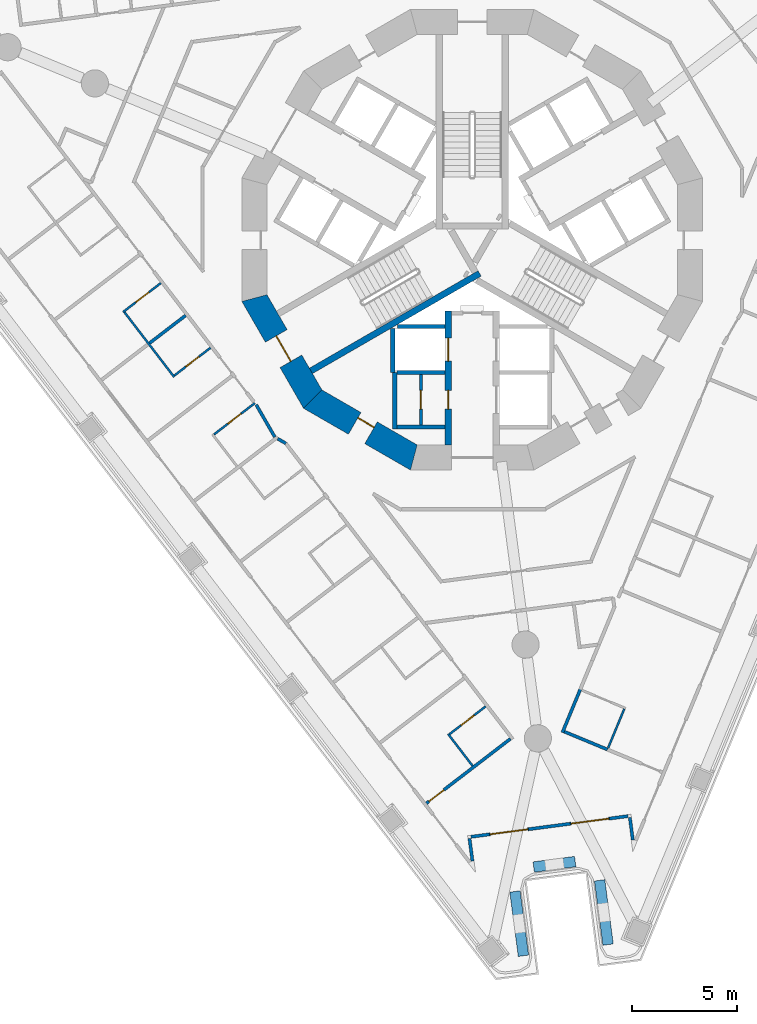
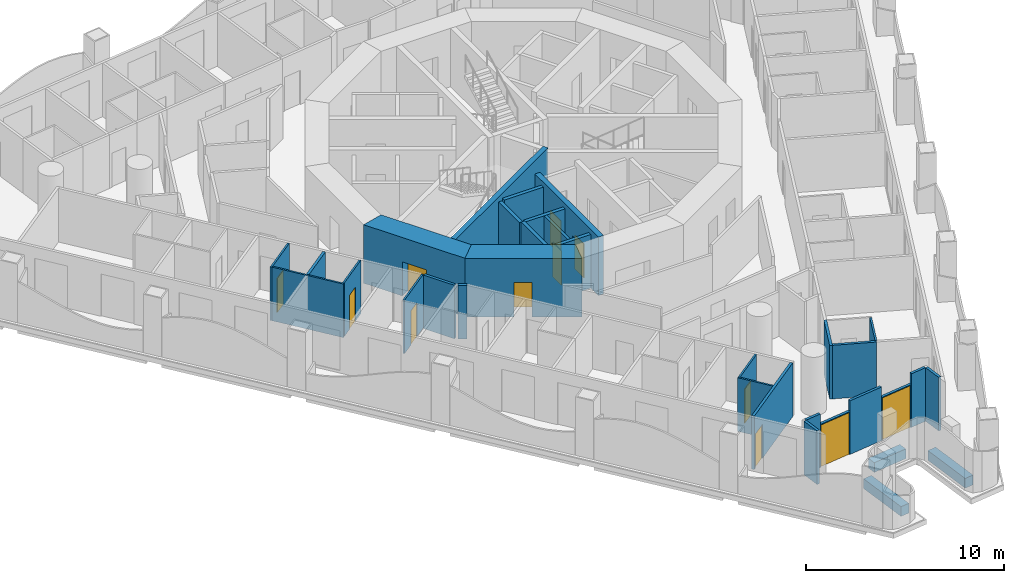
# One storey, part 3 of 19: 33 walls, 12 doors, 12 openings.
"""IFC4 building model written with IfcOpenShell, lengths in metres."""

from ifc_helpers import new_model, si_unit, direction, frame, frame_2d, origin, place, context, subcontext, project, spatial, polyline, rectangle, outline, extrude, material, layer, layer_set, type_object, element, fill, save


model = new_model("IFC4")

# Units and contexts
model_context = context("Model", 3, precision=1e-05, world=origin(), true_north=direction((0.0, 1.0)))
body_context = subcontext(model_context, "Body", "Model", "MODEL_VIEW")
ifc_project = project(units=[si_unit("LENGTHUNIT", "METRE"), si_unit("AREAUNIT", "SQUARE_METRE"), si_unit("VOLUMEUNIT", "CUBIC_METRE"), si_unit("PLANEANGLEUNIT", "RADIAN"), si_unit("MASSUNIT", "GRAM", prefix="KILO")], contexts=[model_context])

# Site, building, storey
site_placement = place(None, origin())
site = spatial("IfcSite", under=ifc_project, at=site_placement, CompositionType="ELEMENT")
building_placement = place(site_placement, origin())
building = spatial("IfcBuilding", under=site, at=building_placement, Name="Trine Commons Tower", CompositionType="ELEMENT")
storey_placement = place(building_placement, frame((0.0, 0.0, 57.60009765625)))
storey = spatial("IfcBuildingStorey", under=building, at=storey_placement, Name="L13", CompositionType="ELEMENT", Elevation=57.60009765625)

# Wall, opening, door
ifc_material_1 = material(Name="Plasterboard partition on steel studs", Category="steel")
ifc_layer_1 = layer(ifc_material_1, 0.14990234375)
ifc_layer_set_1 = layer_set([ifc_layer_1], Name="Plasterboard partition on steel studs")
wall_type_1 = type_object("IfcWallType", Name="Core room partition 150 mm, EI 60", PredefinedType="PARTITIONING", material=ifc_layer_set_1)
wall_1_placement = place(storey_placement, frame((77.550048828125, 56.050048828125, 0.0), z_axis=(0.0, 0.0, 1.0), x_axis=(0.0, -1.0, 0.0)))
wall_1 = element("IfcWall", 1, at=wall_1_placement, inside=storey, type_object=wall_type_1, Name="Core room partition L13", PredefinedType="PARTITIONING", context=body_context, shape_type="SweptSolid", body=[
    extrude(rectangle(XDim=2.400146484375, YDim=0.14990234375, at=frame_2d((1.2001953125, 0.0))), origin(), (0.0, 0.0, 1.0), 3.2998046875),
])
opening_1_placement = place(wall_1_placement, frame((0.75, 0.0, 0.0)))
opening_1 = element("IfcOpeningElement", 2, at=opening_1_placement, cuts=wall_1, Name="Opening K04.11", PredefinedType="OPENING", context=body_context, shape_type="SweptSolid", body=[
    extrude(rectangle(XDim=0.89990234375, YDim=2.10009765625, at=frame_2d((0.449951171875, 1.050048828125))), frame((0.0, 0.0849609375, 0.0), z_axis=(0.0, -1.0, 0.0), x_axis=(1.0, 0.0, 0.0)), (0.0, 0.0, 1.0), 0.169921875),
])
ifc_material_2 = material(Name="Steel door leaf, fire-rated", Category="steel")
door_type_1 = type_object("IfcDoorType", Name="Core room door, single leaf 900 x 2100, FD30S", OperationType="SINGLE_SWING_LEFT", PredefinedType="DOOR", material=ifc_material_2)
door_1_placement = place(opening_1_placement, frame((0.89990234375, 0.0, 0.0), z_axis=(0.0, 0.0, 1.0), x_axis=(-1.0, 0.0, 0.0)))
door_1 = element("IfcDoor", 3, at=door_1_placement, inside=storey, type_object=door_type_1, Name="Door to Comms room L13", OperationType="SINGLE_SWING_LEFT", OverallHeight=2.10009765625, OverallWidth=0.89990234375, PredefinedType="DOOR", context=body_context, shape_type="SweptSolid", body=[
    extrude(rectangle(XDim=0.89990234375, YDim=2.10009765625, at=frame_2d((0.449951171875, 1.050048828125))), frame((0.0, 0.02490234375, 0.0), z_axis=(0.0, -1.0, 0.0), x_axis=(1.0, 0.0, 0.0)), (0.0, 0.0, 1.0), 0.050048828125),
])
fill(opening_1, door_1)

# Walls
ifc_material_3 = material(Name="Aluminium-framed insulated wall panel", Category="aluminium")
ifc_layer_2 = layer(ifc_material_3, 0.14990234375)
ifc_layer_set_2 = layer_set([ifc_layer_2], Name="Aluminium-framed insulated wall panel")
wall_type_2 = type_object("IfcWallType", Name="Glazed frame wall 150, EI 60", PredefinedType="SOLIDWALL", material=ifc_layer_set_2)
wall_2_placement = place(storey_placement, frame((87.6953125, 33.6591796875, 0.0), z_axis=(0.0, 0.0, 1.0), x_axis=(-0.130510858064, 0.991446880033, 0.0)))
element("IfcWall", 4, at=wall_2_placement, inside=storey, type_object=wall_type_2, Name="Glazed frame wall R9", PredefinedType="SOLIDWALL", context=body_context, shape_type="SweptSolid", body=[
    extrude(outline(polyline([(0.1494140625, 0.074951171875), (0.1494140625, -0.074951171875), (1.235107421875, -0.074951171875), (1.235107421875, 0.074951171875), (0.1494140625, 0.074951171875)])), origin(), (0.0, 0.0, 1.0), 3.2998046875),
])
wall_3_placement = place(storey_placement, frame((87.55908203125, 34.96240234375, 0.0), z_axis=(0.0, 0.0, 1.0), x_axis=(-0.991465094935, -0.130372410907, 0.0)))
element("IfcWall", 5, at=wall_3_placement, inside=storey, type_object=wall_type_2, Name="Glazed frame wall P3.1", PredefinedType="SOLIDWALL", context=body_context, shape_type="SweptSolid", body=[
    extrude(outline(polyline([(0.110107421875, -0.074951171875), (1.0, -0.074951171875), (1.0, 0.074951171875), (0.110107421875, 0.074951171875), (0.110107421875, -0.074951171875)])), origin(), (0.0, 0.0, 1.0), 3.2998046875),
])

# Wall, opening, door
wall_4_placement = place(storey_placement, frame((86.567626953125, 34.83203125, 0.0), z_axis=(0.0, 0.0, 1.0), x_axis=(-0.991442045538, -0.130547578832, 0.0)))
wall_4 = element("IfcWall", 6, at=wall_4_placement, inside=storey, type_object=wall_type_2, Name="Glazed frame wall P3.2", PredefinedType="SOLIDWALL", context=body_context, shape_type="SweptSolid", body=[
    extrude(outline(polyline([(0.0, -0.074951171875), (1.89990234375, -0.074951171875), (1.89990234375, 0.074951171875), (0.0, 0.074951171875), (0.0, -0.074951171875)])), origin(), (0.0, 0.0, 1.0), 2.64990234375),
])
opening_2_placement = place(wall_4_placement, frame((0.050048828125, 0.0, 0.0)))
opening_2 = element("IfcOpeningElement", 7, at=opening_2_placement, cuts=wall_4, Name="Opening BD-2P3-01", PredefinedType="OPENING", context=body_context, shape_type="SweptSolid", body=[
    extrude(rectangle(XDim=1.800048828125, YDim=2.60009765625, at=frame_2d((0.89990234375, 1.300048828125))), frame((0.0, 0.0849609375, 0.0), z_axis=(0.0, -1.0, 0.0), x_axis=(1.0, 0.0, 0.0)), (0.0, 0.0, 1.0), 0.169921875),
])
ifc_material_4 = material(Name="Anodised aluminium frame with double glazing", Category="aluminium")
door_type_2 = type_object("IfcDoorType", Name="Sliding loggia door 1800x2600", OperationType="SLIDING_TO_LEFT", PredefinedType="DOOR", material=ifc_material_4)
door_2_placement = place(opening_2_placement, origin())
door_2 = element("IfcDoor", 8, at=door_2_placement, inside=storey, type_object=door_type_2, Name="Loggia door P3 1", OperationType="SLIDING_TO_LEFT", OverallHeight=2.60009765625, OverallWidth=1.800048828125, PredefinedType="DOOR", context=body_context, shape_type="SweptSolid", body=[
    extrude(rectangle(XDim=1.800048828125, YDim=2.60009765625, at=frame_2d((0.89990234375, 1.300048828125))), frame((0.0, 0.02490234375, 0.0), z_axis=(0.0, -1.0, 0.0), x_axis=(1.0, 0.0, 0.0)), (0.0, 0.0, 1.0), 0.050048828125),
])
fill(opening_2, door_2)

# Wall
wall_5_placement = place(storey_placement, frame((84.683837890625, 34.583984375, 0.0), z_axis=(0.0, 0.0, 1.0), x_axis=(-0.991449308994, -0.130492404742, 0.0)))
element("IfcWall", 9, at=wall_5_placement, inside=storey, type_object=wall_type_2, Name="Glazed frame wall P3.3", PredefinedType="SOLIDWALL", context=body_context, shape_type="SweptSolid", body=[
    extrude(outline(polyline([(0.0, -0.074951171875), (2.0, -0.074951171875), (2.0, 0.074951171875), (0.0, 0.074951171875), (0.0, -0.074951171875)])), origin(), (0.0, 0.0, 1.0), 3.2998046875),
])

# Wall, opening, door
wall_6_placement = place(storey_placement, frame((82.700927734375, 34.322998046875, 0.0), z_axis=(0.0, 0.0, 1.0), x_axis=(-0.991442045538, -0.130547578832, 0.0)))
wall_6 = element("IfcWall", 10, at=wall_6_placement, inside=storey, type_object=wall_type_2, Name="Glazed frame wall P3.4", PredefinedType="SOLIDWALL", context=body_context, shape_type="SweptSolid", body=[
    extrude(outline(polyline([(0.0, -0.074951171875), (1.89990234375, -0.074951171875), (1.89990234375, 0.074951171875), (0.0, 0.074951171875), (0.0, -0.074951171875)])), origin(), (0.0, 0.0, 1.0), 2.64990234375),
])
opening_3_placement = place(wall_6_placement, frame((0.050048828125, 0.0, 0.0)))
opening_3 = element("IfcOpeningElement", 11, at=opening_3_placement, cuts=wall_6, Name="Opening BD-2P3-02", PredefinedType="OPENING", context=body_context, shape_type="SweptSolid", body=[
    extrude(rectangle(XDim=1.800048828125, YDim=2.60009765625, at=frame_2d((0.89990234375, 1.300048828125))), frame((0.0, 0.0849609375, 0.0), z_axis=(0.0, -1.0, 0.0), x_axis=(1.0, 0.0, 0.0)), (0.0, 0.0, 1.0), 0.169921875),
])
door_3_placement = place(opening_3_placement, origin())
door_3 = element("IfcDoor", 12, at=door_3_placement, inside=storey, type_object=door_type_2, Name="Loggia door P3 2", OperationType="SLIDING_TO_LEFT", OverallHeight=2.60009765625, OverallWidth=1.800048828125, PredefinedType="DOOR", context=body_context, shape_type="SweptSolid", body=[
    extrude(rectangle(XDim=1.800048828125, YDim=2.60009765625, at=frame_2d((0.89990234375, 1.300048828125))), frame((0.0, 0.02490234375, 0.0), z_axis=(0.0, -1.0, 0.0), x_axis=(1.0, 0.0, 0.0)), (0.0, 0.0, 1.0), 0.050048828125),
])
fill(opening_3, door_3)

# Walls
wall_7_placement = place(storey_placement, frame((80.817138671875, 34.074951171875, 0.0), z_axis=(0.0, 0.0, 1.0), x_axis=(-0.991433509034, -0.130612392842, 0.0)))
element("IfcWall", 13, at=wall_7_placement, inside=storey, type_object=wall_type_2, Name="Glazed frame wall P3.5", PredefinedType="SOLIDWALL", context=body_context, shape_type="SweptSolid", body=[
    extrude(outline(polyline([(0.889892578125, 0.074951171875), (0.0, 0.074951171875), (0.0, -0.074951171875), (0.889892578125, -0.074951171875), (0.889892578125, 0.074951171875)])), origin(), (0.0, 0.0, 1.0), 3.2998046875),
])
wall_8_placement = place(storey_placement, frame((79.85595703125, 33.983642578125, 0.0), z_axis=(0.0, 0.0, 1.0), x_axis=(0.130510858064, -0.991446880033, 0.0)))
element("IfcWall", 14, at=wall_8_placement, inside=storey, type_object=wall_type_2, Name="Glazed frame wall R11", PredefinedType="SOLIDWALL", context=body_context, shape_type="SweptSolid", body=[
    extrude(outline(polyline([(0.110107421875, 0.074951171875), (0.110107421875, -0.074951171875), (1.19580078125, -0.074951171875), (1.19580078125, 0.074951171875), (0.110107421875, 0.074951171875)])), origin(), (0.0, 0.0, 1.0), 3.2998046875),
])
ifc_material_5 = material(Name="Planter trough, precast concrete C40/50", Category="concrete")
ifc_layer_3 = layer(ifc_material_5, 0.5)
ifc_layer_set_3 = layer_set([ifc_layer_3], Name="Planter trough, precast concrete C40/50")
wall_type_3 = type_object("IfcWallType", Name="Planter trough 500x600", PredefinedType="PARAPET", material=ifc_layer_set_3)
wall_9_placement = place(storey_placement, frame((86.493408203125, 28.805908203125, 0.0), z_axis=(0.0, 0.0, 1.0), x_axis=(-0.130507484591, 0.9914473241, 0.0)))
element("IfcWall", 15, at=wall_9_placement, inside=storey, type_object=wall_type_3, Name="Planter 7", PredefinedType="PARAPET", context=body_context, shape_type="SweptSolid", body=[
    extrude(rectangle(XDim=3.099853515625, YDim=0.5, at=frame_2d((1.5498046875, 0.0))), origin(), (0.0, 0.0, 1.0), 0.599853515625),
])
wall_10_placement = place(storey_placement, frame((84.922119140625, 32.774658203125, 0.0), z_axis=(0.0, 0.0, 1.0), x_axis=(-0.991433509034, -0.130612392842, 0.0)))
element("IfcWall", 16, at=wall_10_placement, inside=storey, type_object=wall_type_3, Name="Planter 8", PredefinedType="PARAPET", context=body_context, shape_type="SweptSolid", body=[
    extrude(rectangle(XDim=2.0, YDim=0.5, at=frame_2d((1.0, 0.0))), origin(), (0.0, 0.0, 1.0), 0.599853515625),
])
wall_11_placement = place(storey_placement, frame((82.043701171875, 31.3466796875, 0.0), z_axis=(0.0, 0.0, 1.0), x_axis=(0.130574707151, -0.991438473054, 0.0)))
element("IfcWall", 17, at=wall_11_placement, inside=storey, type_object=wall_type_3, Name="Planter 9", PredefinedType="PARAPET", context=body_context, shape_type="SweptSolid", body=[
    extrude(rectangle(XDim=3.10009765625, YDim=0.5, at=frame_2d((1.550048828125, 0.0))), origin(), (0.0, 0.0, 1.0), 0.599853515625),
])

# Wall, opening, door
ifc_material_6 = material(Name="Concrete C80/95", Category="concrete")
ifc_layer_4 = layer(ifc_material_6, 1.199951171875)
ifc_layer_set_4 = layer_set([ifc_layer_4], Name="Concrete C80/95")
wall_type_4 = type_object("IfcWallType", Name="RC shear wall 1200 mm, C80/95", PredefinedType="SHEAR", material=ifc_layer_set_4)
wall_12_placement = place(storey_placement, frame((69.508056640625, 59.849609375, 0.0), z_axis=(0.0, 0.0, 1.0), x_axis=(0.499979111662, -0.866037463336, 0.0)))
wall_12 = element("IfcWall", 18, at=wall_12_placement, inside=storey, type_object=wall_type_4, Name="Core wall CWB-08 L13", PredefinedType="SHEAR", context=body_context, shape_type="SweptSolid", body=[
    extrude(outline(polyline([(0.0, -0.60009765625), (5.901123046875, -0.60009765625), (5.57958984375, 0.60009765625), (0.321533203125, 0.60009765625), (0.0, -0.60009765625)])), origin(), (0.0, 0.0, 1.0), 3.599853515625),
])
opening_4_placement = place(wall_12_placement, frame((2.25048828125, 0.0, 0.0)))
opening_4 = element("IfcOpeningElement", 19, at=opening_4_placement, cuts=wall_12, Name="Opening K04.02", PredefinedType="OPENING", context=body_context, shape_type="SweptSolid", body=[
    extrude(rectangle(XDim=1.39990234375, YDim=2.10009765625, at=frame_2d((0.699951171875, 1.050048828125))), frame((0.0, 0.60986328125, 0.0), z_axis=(0.0, -1.0, 0.0), x_axis=(1.0, 0.0, 0.0)), (0.0, 0.0, 1.0), 1.219970703125),
])
ifc_material_7 = material(Name="Steel door leaves, fire-rated", Category="steel")
door_type_3 = type_object("IfcDoorType", Name="Stair door, double leaf 1400 x 2100, FD90", OperationType="DOUBLE_DOOR_SINGLE_SWING", PredefinedType="DOOR", material=ifc_material_7)
door_4_placement = place(opening_4_placement, origin())
door_4 = element("IfcDoor", 20, at=door_4_placement, inside=storey, type_object=door_type_3, Name="Stair door to Exit stair ST2A L13", OperationType="DOUBLE_DOOR_SINGLE_SWING", OverallHeight=2.10009765625, OverallWidth=1.39990234375, PredefinedType="DOOR", context=body_context, shape_type="SweptSolid", body=[
    extrude(rectangle(XDim=1.39990234375, YDim=2.10009765625, at=frame_2d((0.699951171875, 1.050048828125))), frame((0.0, 0.02490234375, 0.0), z_axis=(0.0, -1.0, 0.0), x_axis=(1.0, 0.0, 0.0)), (0.0, 0.0, 1.0), 0.050048828125),
])
fill(opening_4, door_4)

wall_13_placement = place(storey_placement, frame((72.239013671875, 54.95849609375, 0.0), z_axis=(0.0, 0.0, 1.0), x_axis=(0.866037463336, -0.499979111662, 0.0)))
wall_13 = element("IfcWall", 21, at=wall_13_placement, inside=storey, type_object=wall_type_4, Name="Core wall CWB-09 L13", PredefinedType="SHEAR", context=body_context, shape_type="SweptSolid", body=[
    extrude(outline(polyline([(0.0, -0.60009765625), (5.901123046875, -0.60009765625), (5.57958984375, 0.60009765625), (0.321533203125, 0.60009765625), (0.0, -0.60009765625)])), origin(), (0.0, 0.0, 1.0), 3.599853515625),
])
opening_5_placement = place(wall_13_placement, frame((2.4765625, 0.0, 0.0)))
opening_5 = element("IfcOpeningElement", 22, at=opening_5_placement, cuts=wall_13, Name="Opening K04.15", PredefinedType="OPENING", context=body_context, shape_type="SweptSolid", body=[
    extrude(rectangle(XDim=0.89990234375, YDim=2.10009765625, at=frame_2d((0.449951171875, 1.050048828125))), frame((0.0, 0.60986328125, 0.0), z_axis=(0.0, -1.0, 0.0), x_axis=(1.0, 0.0, 0.0)), (0.0, 0.0, 1.0), 1.219970703125),
])
door_5_placement = place(opening_5_placement, origin())
door_5 = element("IfcDoor", 23, at=door_5_placement, inside=storey, type_object=door_type_1, Name="Door to Cleaner's store L13", OperationType="SINGLE_SWING_LEFT", OverallHeight=2.10009765625, OverallWidth=0.89990234375, PredefinedType="DOOR", context=body_context, shape_type="SweptSolid", body=[
    extrude(rectangle(XDim=0.89990234375, YDim=2.10009765625, at=frame_2d((0.449951171875, 1.050048828125))), frame((0.0, 0.3251953125, 0.0), z_axis=(0.0, -1.0, 0.0), x_axis=(1.0, 0.0, 0.0)), (0.0, 0.0, 1.0), 0.050048828125),
])
fill(opening_5, door_5)

# Wall, openings, doors
ifc_layer_5 = layer(ifc_material_6, 0.300048828125)
ifc_layer_set_5 = layer_set([ifc_layer_5], Name="Concrete C80/95")
wall_type_5 = type_object("IfcWallType", Name="RC shear wall 300 mm, C80/95", PredefinedType="SHEAR", material=ifc_layer_set_5)
wall_14_placement = place(storey_placement, frame((78.85009765625, 59.10009765625, 0.0), z_axis=(0.0, 0.0, 1.0), x_axis=(0.0, -1.0, 0.0)))
wall_14 = element("IfcWall", 24, at=wall_14_placement, inside=storey, type_object=wall_type_5, Name="Core cross wall SWA-03 L13", PredefinedType="SHEAR", context=body_context, shape_type="SweptSolid", body=[
    extrude(rectangle(XDim=6.412109375, YDim=0.300048828125, at=frame_2d((3.2060546875, 0.0))), origin(), (0.0, 0.0, 1.0), 3.599853515625),
])
opening_6_placement = place(wall_14_placement, frame((3.800048828125, 0.0, 0.0)))
opening_6 = element("IfcOpeningElement", 25, at=opening_6_placement, cuts=wall_14, Name="Opening K04.10", PredefinedType="OPENING", context=body_context, shape_type="SweptSolid", body=[
    extrude(rectangle(XDim=0.89990234375, YDim=2.10009765625, at=frame_2d((0.449951171875, 1.050048828125))), frame((0.0, 0.159912109375, 0.0), z_axis=(0.0, -1.0, 0.0), x_axis=(1.0, 0.0, 0.0)), (0.0, 0.0, 1.0), 0.320068359375),
])
opening_7_placement = place(wall_14_placement, frame((1.300048828125, 0.0, 0.0)))
opening_7 = element("IfcOpeningElement", 26, at=opening_7_placement, cuts=wall_14, Name="Opening LD10", PredefinedType="OPENING", context=body_context, shape_type="SweptSolid", body=[
    extrude(rectangle(XDim=1.10009765625, YDim=2.10009765625, at=frame_2d((0.550048828125, 1.050048828125))), frame((0.0, 0.159912109375, 0.0), z_axis=(0.0, -1.0, 0.0), x_axis=(1.0, 0.0, 0.0)), (0.0, 0.0, 1.0), 0.320068359375),
])
door_6_placement = place(opening_6_placement, frame((0.89990234375, 0.0, 0.0), z_axis=(0.0, 0.0, 1.0), x_axis=(-1.0, 0.0, 0.0)))
door_6 = element("IfcDoor", 27, at=door_6_placement, inside=storey, type_object=door_type_1, Name="Door to Pantry L13", OperationType="SINGLE_SWING_RIGHT", OverallHeight=2.10009765625, OverallWidth=0.89990234375, PredefinedType="DOOR", context=body_context, shape_type="SweptSolid", body=[
    extrude(rectangle(XDim=0.89990234375, YDim=2.10009765625, at=frame_2d((0.449951171875, 1.050048828125))), frame((0.0, 0.02490234375, 0.0), z_axis=(0.0, -1.0, 0.0), x_axis=(1.0, 0.0, 0.0)), (0.0, 0.0, 1.0), 0.050048828125),
])
fill(opening_6, door_6)
ifc_material_8 = material(Name="Stainless steel sliding door leaves", Category="steel")
door_type_4 = type_object("IfcDoorType", Name="Lift landing door, centre-opening sliding 1100 x 2100, FD90", OperationType="DOUBLE_DOOR_SLIDING", PredefinedType="DOOR", material=ifc_material_8)
door_7_placement = place(opening_7_placement, origin())
door_7 = element("IfcDoor", 28, at=door_7_placement, inside=storey, type_object=door_type_4, Name="Lift landing door FF2 L13", OperationType="DOUBLE_DOOR_SLIDING", OverallHeight=2.10009765625, OverallWidth=1.10009765625, PredefinedType="DOOR", context=body_context, shape_type="SweptSolid", body=[
    extrude(rectangle(XDim=1.10009765625, YDim=2.10009765625, at=frame_2d((0.550048828125, 1.050048828125))), frame((0.0, 0.02490234375, 0.0), z_axis=(0.0, -1.0, 0.0), x_axis=(1.0, 0.0, 0.0)), (0.0, 0.0, 1.0), 0.050048828125),
])
fill(opening_7, door_7)

# Walls
wall_15_placement = place(storey_placement, frame((80.35400390625, 60.885986328125, 0.0), z_axis=(0.0, 0.0, 1.0), x_axis=(-0.865986456211, -0.50006745311, 0.0)))
element("IfcWall", 29, at=wall_15_placement, inside=storey, type_object=wall_type_5, Name="Core cross wall SWA-14 L13", PredefinedType="SHEAR", context=body_context, shape_type="SweptSolid", body=[
    extrude(rectangle(XDim=9.310791015625, YDim=0.300048828125, at=frame_2d((4.6552734375, 0.0))), origin(), (0.0, 0.0, 1.0), 3.599853515625),
])
ifc_material_9 = material(Name="Fire-rated gypsum shaft wall system")
ifc_layer_6 = layer(ifc_material_9, 0.199951171875)
ifc_layer_set_6 = layer_set([ifc_layer_6], Name="Fire-rated gypsum shaft wall system")
wall_type_6 = type_object("IfcWallType", Name="Shaft wall 200 mm, EI 120", PredefinedType="PARTITIONING", material=ifc_layer_set_6)
wall_16_placement = place(storey_placement, frame((76.199951171875, 58.256103515625, 0.0), z_axis=(0.0, 0.0, 1.0), x_axis=(0.0, -1.0, 0.0)))
element("IfcWall", 30, at=wall_16_placement, inside=storey, type_object=wall_type_6, Name="Shaft wall L13", PredefinedType="PARTITIONING", context=body_context, shape_type="SweptSolid", body=[
    extrude(rectangle(XDim=2.106201171875, YDim=0.199951171875, at=frame_2d((1.05322265625, 0.0))), origin(), (0.0, 0.0, 1.0), 3.2998046875),
])
wall_17_placement = place(storey_placement, frame((76.300048828125, 56.14990234375, 0.0), z_axis=(0.0, 0.0, 1.0), x_axis=(0.0, -1.0, 0.0)))
element("IfcWall", 31, at=wall_17_placement, inside=storey, type_object=wall_type_6, Name="Shaft wall L13", PredefinedType="PARTITIONING", context=body_context, shape_type="SweptSolid", body=[
    extrude(rectangle(XDim=2.699951171875, YDim=0.199951171875, at=frame_2d((1.35009765625, 0.0))), origin(), (0.0, 0.0, 1.0), 3.2998046875),
])
for number, where, z_axis, x_axis, name in (
    (32, (78.699951171875, 53.550048828125, 0.0), (0.0, 0.0, 1.0), (-1.0, 0.0, 0.0), "Shaft wall L13"),
    (33, (78.699951171875, 56.14990234375, 0.0), (0.0, 0.0, 1.0), (-1.0, 0.0, 0.0), "Shaft wall L13"),
):
    element("IfcWall", number, at=place(storey_placement, frame(where, z_axis=z_axis, x_axis=x_axis)), inside=storey, type_object=wall_type_6, Name=name, PredefinedType="PARTITIONING", context=body_context, shape_type="SweptSolid", body=[
        extrude(rectangle(XDim=2.300048828125, YDim=0.199951171875, at=frame_2d((1.14990234375, 0.0))), origin(), (0.0, 0.0, 1.0), 3.2998046875),
    ])
wall_18_placement = place(storey_placement, frame((78.699951171875, 58.35009765625, 0.0), z_axis=(0.0, 0.0, 1.0), x_axis=(-1.0, 0.0, 0.0)))
element("IfcWall", 34, at=wall_18_placement, inside=storey, type_object=wall_type_6, Name="Shaft wall L13", PredefinedType="PARTITIONING", context=body_context, shape_type="SweptSolid", body=[
    extrude(rectangle(XDim=2.264892578125, YDim=0.199951171875, at=frame_2d((1.13232421875, 0.0))), origin(), (0.0, 0.0, 1.0), 3.2998046875),
])
ifc_material_10 = material(Name="Gypsum plasterboard on steel stud", Category="steel")
ifc_layer_7 = layer(ifc_material_10, 0.14990234375)
ifc_layer_set_7 = layer_set([ifc_layer_7], Name="Gypsum plasterboard on steel stud")
wall_type_7 = type_object("IfcWallType", Name="Unit and corridor wall 150 mm, EI 60", PredefinedType="PARTITIONING", material=ifc_layer_set_7)
wall_19_placement = place(storey_placement, frame((64.57568359375, 57.554443359375, 0.0), z_axis=(0.0, 0.0, 1.0), x_axis=(0.79342025342, 0.608674216197, 0.0)))
element("IfcWall", 35, at=wall_19_placement, inside=storey, type_object=wall_type_7, Name="Partition 032", PredefinedType="PARTITIONING", context=body_context, shape_type="SweptSolid", body=[
    extrude(rectangle(XDim=2.17529296875, YDim=0.14990234375, at=frame_2d((1.087646484375, 0.0))), origin(), (0.0, 0.0, 1.0), 3.2998046875),
])
wall_20_placement = place(storey_placement, frame((69.674072265625, 54.612060546875, 0.0), z_axis=(0.0, 0.0, 1.0), x_axis=(0.499655352634, -0.866224294616, 0.0)))
element("IfcWall", 36, at=wall_20_placement, inside=storey, type_object=wall_type_7, Name="Partition 054", PredefinedType="PARTITIONING", context=body_context, shape_type="SweptSolid", body=[
    extrude(rectangle(XDim=1.784912109375, YDim=0.14990234375, at=frame_2d((0.892578125, 0.0))), origin(), (0.0, 0.0, 1.0), 3.2998046875),
])
wall_21_placement = place(storey_placement, frame((70.701904296875, 52.987548828125, 0.0), z_axis=(0.0, 0.0, 1.0), x_axis=(0.866382612495, -0.499380785339, 0.0)))
element("IfcWall", 37, at=wall_21_placement, inside=storey, type_object=wall_type_7, Name="Partition 057", PredefinedType="PARTITIONING", context=body_context, shape_type="SweptSolid", body=[
    extrude(rectangle(XDim=0.45361328125, YDim=0.14990234375, at=frame_2d((0.226806640625, 0.0))), origin(), (0.0, 0.0, 1.0), 3.2998046875),
])

# Wall, opening, door
wall_22_placement = place(storey_placement, frame((77.810791015625, 35.560302734375, 0.0), z_axis=(0.0, 0.0, 1.0), x_axis=(0.793261664916, 0.60888088406, 0.0)))
wall_22 = element("IfcWall", 38, at=wall_22_placement, inside=storey, type_object=wall_type_7, Name="Partition 079", PredefinedType="PARTITIONING", context=body_context, shape_type="SweptSolid", body=[
    extrude(rectangle(XDim=5.0634765625, YDim=0.14990234375, at=frame_2d((2.53173828125, 0.0))), origin(), (0.0, 0.0, 1.0), 3.2998046875),
])
opening_8_placement = place(wall_22_placement, frame((0.14990234375, 0.0, 0.0)))
opening_8 = element("IfcOpeningElement", 39, at=opening_8_placement, cuts=wall_22, Name="Opening D-2A26", PredefinedType="OPENING", context=body_context, shape_type="SweptSolid", body=[
    extrude(rectangle(XDim=0.89990234375, YDim=2.10009765625, at=frame_2d((0.449951171875, 1.050048828125))), frame((0.0, 0.0849609375, 0.0), z_axis=(0.0, -1.0, 0.0), x_axis=(1.0, 0.0, 0.0)), (0.0, 0.0, 1.0), 0.169921875),
])
ifc_material_11 = material(Name="Timber fire door set", Category="wood")
door_type_5 = type_object("IfcDoorType", Name="Bedroom door 900 x 2100, FD30S", OperationType="NOTDEFINED", PredefinedType="DOOR", material=ifc_material_11)
door_8_placement = place(opening_8_placement, origin())
door_8 = element("IfcDoor", 40, at=door_8_placement, inside=storey, type_object=door_type_5, Name="Door D-2A26", OperationType="SINGLE_SWING_LEFT", OverallHeight=2.10009765625, OverallWidth=0.89990234375, PredefinedType="DOOR", context=body_context, shape_type="SweptSolid", body=[
    extrude(rectangle(XDim=0.89990234375, YDim=2.10009765625, at=frame_2d((0.449951171875, 1.050048828125))), frame((0.0, 0.02490234375, 0.0), z_axis=(0.0, -1.0, 0.0), x_axis=(1.0, 0.0, 0.0)), (0.0, 0.0, 1.0), 0.050048828125),
])
fill(opening_8, door_8)

# Walls
wall_23_placement = place(storey_placement, frame((84.310302734375, 38.941650390625, 0.0), z_axis=(0.0, 0.0, 1.0), x_axis=(0.382789938294, 0.923835409118, 0.0)))
element("IfcWall", 41, at=wall_23_placement, inside=storey, type_object=wall_type_7, Name="Partition 094", PredefinedType="PARTITIONING", context=body_context, shape_type="SweptSolid", body=[
    extrude(rectangle(XDim=2.280029296875, YDim=0.14990234375, at=frame_2d((1.14013671875, 0.0))), origin(), (0.0, 0.0, 1.0), 3.2998046875),
])
wall_24_placement = place(storey_placement, frame((84.408203125, 38.982421875, 0.0), z_axis=(0.0, 0.0, 1.0), x_axis=(0.923765743921, -0.382958026888, 0.0)))
element("IfcWall", 42, at=wall_24_placement, inside=storey, type_object=wall_type_7, Name="Partition 095", PredefinedType="PARTITIONING", context=body_context, shape_type="SweptSolid", body=[
    extrude(rectangle(XDim=2.228759765625, YDim=0.14990234375, at=frame_2d((1.1142578125, 0.0))), origin(), (0.0, 0.0, 1.0), 3.2998046875),
])

# Wall, opening, door
ifc_layer_8 = layer(ifc_material_10, 0.10009765625)
ifc_layer_set_8 = layer_set([ifc_layer_8], Name="Gypsum plasterboard on steel stud")
wall_type_8 = type_object("IfcWallType", Name="Unit partition 100 mm, no rating", PredefinedType="PARTITIONING", material=ifc_layer_set_8)
wall_25_placement = place(storey_placement, frame((63.309326171875, 59.04052734375, 0.0), z_axis=(0.0, 0.0, 1.0), x_axis=(0.793437070432, 0.608652294224, 0.0)))
wall_25 = element("IfcWall", 43, at=wall_25_placement, inside=storey, type_object=wall_type_8, Name="Partition 023", PredefinedType="PARTITIONING", context=body_context, shape_type="SweptSolid", body=[
    extrude(rectangle(XDim=2.275146484375, YDim=0.10009765625, at=frame_2d((1.1376953125, 0.0))), origin(), (0.0, 0.0, 1.0), 3.2998046875),
])
opening_9_placement = place(wall_25_placement, frame((0.762451171875, 0.0, 0.0)))
opening_9 = element("IfcOpeningElement", 44, at=opening_9_placement, cuts=wall_25, Name="Opening D-2A63", PredefinedType="OPENING", context=body_context, shape_type="SweptSolid", body=[
    extrude(rectangle(XDim=0.800048828125, YDim=2.10009765625, at=frame_2d((0.39990234375, 1.050048828125))), frame((0.0, 0.06005859375, 0.0), z_axis=(0.0, -1.0, 0.0), x_axis=(1.0, 0.0, 0.0)), (0.0, 0.0, 1.0), 0.1201171875),
])
ifc_material_12 = material(Name="Painted timber", Category="wood")
door_type_6 = type_object("IfcDoorType", Name="Internal door 800 x 2100, NOT RATED", OperationType="NOTDEFINED", PredefinedType="DOOR", material=ifc_material_12)
door_9_placement = place(opening_9_placement, origin())
door_9 = element("IfcDoor", 45, at=door_9_placement, inside=storey, type_object=door_type_6, Name="Door D-2A63", OperationType="SINGLE_SWING_RIGHT", OverallHeight=2.10009765625, OverallWidth=0.800048828125, PredefinedType="DOOR", context=body_context, shape_type="SweptSolid", body=[
    extrude(rectangle(XDim=0.800048828125, YDim=2.10009765625, at=frame_2d((0.39990234375, 1.050048828125))), frame((0.0, 0.02490234375, 0.0), z_axis=(0.0, -1.0, 0.0), x_axis=(1.0, 0.0, 0.0)), (0.0, 0.0, 1.0), 0.050048828125),
])
fill(opening_9, door_9)

# Wall
wall_26_placement = place(storey_placement, frame((63.37939453125, 59.03125, 0.0), z_axis=(0.0, 0.0, 1.0), x_axis=(0.608627311208, -0.79345623449, 0.0)))
element("IfcWall", 46, at=wall_26_placement, inside=storey, type_object=wall_type_8, Name="Partition 024", PredefinedType="PARTITIONING", context=body_context, shape_type="SweptSolid", body=[
    extrude(rectangle(XDim=3.900634765625, YDim=0.10009765625, at=frame_2d((1.9501953125, 0.0))), origin(), (0.0, 0.0, 1.0), 3.2998046875),
])

# Wall, opening, door
wall_27_placement = place(storey_placement, frame((65.7626953125, 56.00634765625, 0.0), z_axis=(0.0, 0.0, 1.0), x_axis=(0.793203445283, 0.608956726206, 0.0)))
wall_27 = element("IfcWall", 47, at=wall_27_placement, inside=storey, type_object=wall_type_8, Name="Partition 038", PredefinedType="PARTITIONING", context=body_context, shape_type="SweptSolid", body=[
    extrude(rectangle(XDim=2.17578125, YDim=0.10009765625, at=frame_2d((1.087890625, 0.0))), origin(), (0.0, 0.0, 1.0), 3.2998046875),
])
opening_10_placement = place(wall_27_placement, frame((0.68798828125, 0.0, 0.0)))
opening_10 = element("IfcOpeningElement", 48, at=opening_10_placement, cuts=wall_27, Name="Opening D-2A62", PredefinedType="OPENING", context=body_context, shape_type="SweptSolid", body=[
    extrude(rectangle(XDim=0.800048828125, YDim=2.10009765625, at=frame_2d((0.39990234375, 1.050048828125))), frame((0.0, 0.06005859375, 0.0), z_axis=(0.0, -1.0, 0.0), x_axis=(1.0, 0.0, 0.0)), (0.0, 0.0, 1.0), 0.1201171875),
])
door_10_placement = place(opening_10_placement, frame((0.800048828125, 0.0, 0.0), z_axis=(0.0, 0.0, 1.0), x_axis=(-1.0, 0.0, 0.0)))
door_10 = element("IfcDoor", 49, at=door_10_placement, inside=storey, type_object=door_type_6, Name="Door D-2A62", OperationType="SINGLE_SWING_LEFT", OverallHeight=2.10009765625, OverallWidth=0.800048828125, PredefinedType="DOOR", context=body_context, shape_type="SweptSolid", body=[
    extrude(rectangle(XDim=0.800048828125, YDim=2.10009765625, at=frame_2d((0.39990234375, 1.050048828125))), frame((0.0, 0.02490234375, 0.0), z_axis=(0.0, -1.0, 0.0), x_axis=(1.0, 0.0, 0.0)), (0.0, 0.0, 1.0), 0.050048828125),
])
fill(opening_10, door_10)

wall_28_placement = place(storey_placement, frame((67.65478515625, 53.189453125, 0.0), z_axis=(0.0, 0.0, 1.0), x_axis=(0.79352183508, 0.608541779381, 0.0)))
wall_28 = element("IfcWall", 50, at=wall_28_placement, inside=storey, type_object=wall_type_8, Name="Partition 047", PredefinedType="PARTITIONING", context=body_context, shape_type="SweptSolid", body=[
    extrude(rectangle(XDim=2.464111328125, YDim=0.10009765625, at=frame_2d((1.23193359375, 0.0))), origin(), (0.0, 0.0, 1.0), 3.2998046875),
])
opening_11_placement = place(wall_28_placement, frame((0.83203125, 0.0, 0.0)))
opening_11 = element("IfcOpeningElement", 51, at=opening_11_placement, cuts=wall_28, Name="Opening D-2A61", PredefinedType="OPENING", context=body_context, shape_type="SweptSolid", body=[
    extrude(rectangle(XDim=0.800048828125, YDim=2.10009765625, at=frame_2d((0.39990234375, 1.050048828125))), frame((0.0, 0.06005859375, 0.0), z_axis=(0.0, -1.0, 0.0), x_axis=(1.0, 0.0, 0.0)), (0.0, 0.0, 1.0), 0.1201171875),
])
door_11_placement = place(opening_11_placement, origin())
door_11 = element("IfcDoor", 52, at=door_11_placement, inside=storey, type_object=door_type_6, Name="Door D-2A61", OperationType="SINGLE_SWING_LEFT", OverallHeight=2.10009765625, OverallWidth=0.800048828125, PredefinedType="DOOR", context=body_context, shape_type="SweptSolid", body=[
    extrude(rectangle(XDim=0.800048828125, YDim=2.10009765625, at=frame_2d((0.39990234375, 1.050048828125))), frame((0.0, 0.02490234375, 0.0), z_axis=(0.0, -1.0, 0.0), x_axis=(1.0, 0.0, 0.0)), (0.0, 0.0, 1.0), 0.050048828125),
])
fill(opening_11, door_11)

# Wall
wall_29_placement = place(storey_placement, frame((78.845703125, 38.875732421875, 0.0), z_axis=(0.0, 0.0, 1.0), x_axis=(0.608649853766, -0.793438942522, 0.0)))
element("IfcWall", 53, at=wall_29_placement, inside=storey, type_object=wall_type_8, Name="Partition 082", PredefinedType="PARTITIONING", context=body_context, shape_type="SweptSolid", body=[
    extrude(rectangle(XDim=1.925048828125, YDim=0.10009765625, at=frame_2d((0.96240234375, 0.0))), origin(), (0.0, 0.0, 1.0), 3.2998046875),
])

# Wall, opening, door
wall_30_placement = place(storey_placement, frame((78.915771484375, 38.866455078125, 0.0), z_axis=(0.0, 0.0, 1.0), x_axis=(0.793266438723, 0.608874664603, 0.0)))
wall_30 = element("IfcWall", 54, at=wall_30_placement, inside=storey, type_object=wall_type_8, Name="Partition 083", PredefinedType="PARTITIONING", context=body_context, shape_type="SweptSolid", body=[
    extrude(rectangle(XDim=2.174072265625, YDim=0.10009765625, at=frame_2d((1.0869140625, 0.0))), origin(), (0.0, 0.0, 1.0), 3.2998046875),
])
opening_12_placement = place(wall_30_placement, frame((0.687255859375, 0.0, 0.0)))
opening_12 = element("IfcOpeningElement", 55, at=opening_12_placement, cuts=wall_30, Name="Opening D-2A57", PredefinedType="OPENING", context=body_context, shape_type="SweptSolid", body=[
    extrude(rectangle(XDim=0.800048828125, YDim=2.10009765625, at=frame_2d((0.39990234375, 1.050048828125))), frame((0.0, 0.06005859375, 0.0), z_axis=(0.0, -1.0, 0.0), x_axis=(1.0, 0.0, 0.0)), (0.0, 0.0, 1.0), 0.1201171875),
])
door_12_placement = place(opening_12_placement, origin())
door_12 = element("IfcDoor", 56, at=door_12_placement, inside=storey, type_object=door_type_6, Name="Door D-2A57", OperationType="SINGLE_SWING_RIGHT", OverallHeight=2.10009765625, OverallWidth=0.800048828125, PredefinedType="DOOR", context=body_context, shape_type="SweptSolid", body=[
    extrude(rectangle(XDim=0.800048828125, YDim=2.10009765625, at=frame_2d((0.39990234375, 1.050048828125))), frame((0.0, 0.02490234375, 0.0), z_axis=(0.0, -1.0, 0.0), x_axis=(1.0, 0.0, 0.0)), (0.0, 0.0, 1.0), 0.050048828125),
])
fill(opening_12, door_12)

# Wall
wall_31_placement = place(storey_placement, frame((86.49267578125, 38.2001953125, 0.0), z_axis=(0.0, 0.0, 1.0), x_axis=(0.382646278951, 0.923894921084, 0.0)))
element("IfcWall", 57, at=wall_31_placement, inside=storey, type_object=wall_type_8, Name="Partition 110", PredefinedType="PARTITIONING", context=body_context, shape_type="SweptSolid", body=[
    extrude(rectangle(XDim=2.025634765625, YDim=0.10009765625, at=frame_2d((1.0126953125, 0.0))), origin(), (0.0, 0.0, 1.0), 3.2998046875),
])

save(model, "model.ifc")
